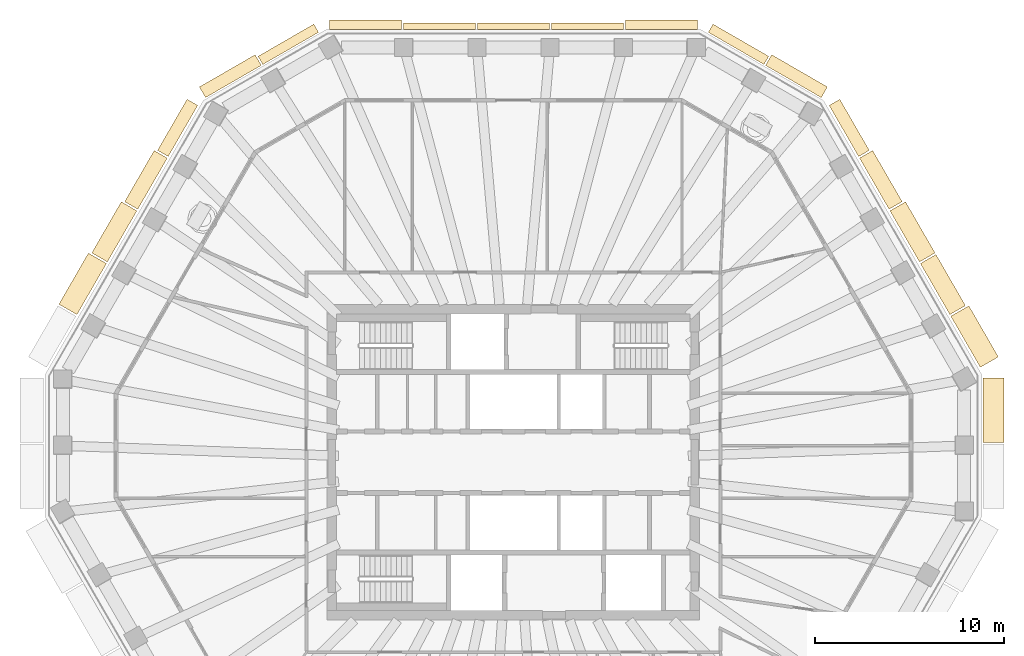
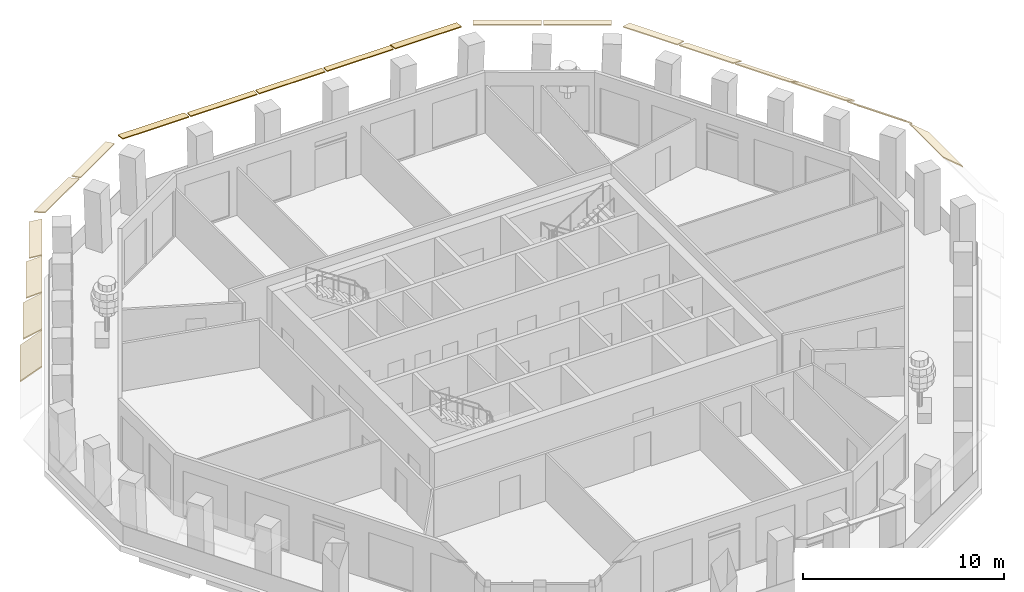
# One storey, part 10 of 12: 19 coverings.
"""IFC4 building model written with IfcOpenShell, lengths in metres."""

from ifc_helpers import new_model, si_unit, direction, frame, origin, place, context, subcontext, project, spatial, polyline, outline, extrude, material, layer, layer_set, type_object, element, save


model = new_model("IFC4")

# Units and contexts
model_context = context("Model", 3, precision=1e-05, world=origin(), true_north=direction((0.0, 1.0)))
body_context = subcontext(model_context, "Body", "Model", "MODEL_VIEW")
ifc_project = project(units=[si_unit("LENGTHUNIT", "METRE"), si_unit("AREAUNIT", "SQUARE_METRE"), si_unit("VOLUMEUNIT", "CUBIC_METRE"), si_unit("PLANEANGLEUNIT", "RADIAN"), si_unit("MASSUNIT", "GRAM", prefix="KILO")], contexts=[model_context])

# Site, building, storey
site_placement = place(None, origin())
site = spatial("IfcSite", under=ifc_project, at=site_placement, CompositionType="ELEMENT")
building_placement = place(site_placement, origin())
building = spatial("IfcBuilding", under=site, at=building_placement, Name="Frailejon Research Tower", CompositionType="ELEMENT")
storey_placement = place(building_placement, frame((0.0, 0.0, 291.0)))
storey = spatial("IfcBuildingStorey", under=building, at=storey_placement, Name="L64", CompositionType="ELEMENT", Elevation=291.0)

# Coverings
ifc_material_1 = material(Name="Precast concrete C50/60", Category="concrete")
ifc_layer_1 = layer(ifc_material_1, 0.06005859375)
ifc_layer_set_1 = layer_set([ifc_layer_1], Name="Brim blade depth 1100")
covering_type_1 = type_object("IfcCoveringType", Name="Brim blade depth 1100", PredefinedType="CLADDING", material=ifc_layer_set_1)
covering_1_placement = place(storey_placement, frame((24.8544921875, 4.45751953125, 3.85009765625), z_axis=(0.0, -1.0, 0.0), x_axis=(1.0, 0.0, 0.0)))
element("IfcCovering", 1, at=covering_1_placement, inside=storey, type_object=covering_type_1, Name="Brim blade L64", PredefinedType="CLADDING", context=body_context, shape_type="SweptSolid", body=[
    extrude(outline(polyline([(0.0, -0.078369140625), (1.10009765625, -1.001220703125), (1.10009765625, -0.923095703125), (0.0, 0.0), (0.0, -0.078369140625)])), origin(), (0.0, 0.0, 1.0), 3.402099609375),
])
for number, where, z_axis, x_axis, name in (
    (2, (23.142333984375, 7.727294921875, 3.85009765625), (0.499997604048, -0.866026787083, 0.0), (0.866026787083, 0.499997604048, 0.0), "Brim blade L64"),
    (3, (-23.09228515625, 7.81396484375, 3.85009765625), (0.499997604048, 0.866026787083, 0.0), (-0.866026787083, 0.499997604048, 0.0), "Brim blade L64"),
):
    element("IfcCovering", number, at=place(storey_placement, frame(where, z_axis=z_axis, x_axis=x_axis)), inside=storey, type_object=covering_type_1, Name=name, PredefinedType="CLADDING", context=body_context, shape_type="SweptSolid", body=[
        extrude(outline(polyline([(0.0, -0.078369140625), (1.10009765625, -1.001220703125), (1.10009765625, -0.923095703125), (0.0, 0.0), (0.0, -0.078369140625)])), origin(), (0.0, 0.0, 1.0), 3.119384765625),
    ])
ifc_material_2 = material(Name="Precast concrete C50/60", Category="concrete")
ifc_layer_2 = layer(ifc_material_2, 0.06005859375)
ifc_layer_set_2 = layer_set([ifc_layer_2], Name="Brim blade depth 350")
covering_type_2 = type_object("IfcCoveringType", Name="Brim blade depth 350", PredefinedType="CLADDING", material=ifc_layer_set_2)
for number, where, z_axis, x_axis, name in (
    (4, (2.008056640625, 22.89990234375, 3.85009765625), (1.0, 0.0, 0.0), (0.0, 1.0, 0.0), "Brim blade L64"),
    (5, (-1.908203125, 22.89990234375, 3.85009765625), (1.0, 0.0, 0.0), (0.0, 1.0, 0.0), "Brim blade L64"),
    (6, (-5.82421875, 22.89990234375, 3.85009765625), (1.0, 0.0, 0.0), (0.0, 1.0, 0.0), "Brim blade L64"),
):
    element("IfcCovering", number, at=place(storey_placement, frame(where, z_axis=z_axis, x_axis=x_axis)), inside=storey, type_object=covering_type_2, Name=name, PredefinedType="CLADDING", context=body_context, shape_type="SweptSolid", body=[
        extrude(outline(polyline([(0.0, -0.06005859375), (0.35009765625, -0.06005859375), (0.35009765625, 0.0), (0.0, 0.0), (0.0, -0.06005859375)])), origin(), (0.0, 0.0, 1.0), 3.816162109375),
    ])
ifc_material_3 = material(Name="Precast concrete C50/60", Category="concrete")
ifc_layer_3 = layer(ifc_material_3, 0.06005859375)
ifc_layer_set_3 = layer_set([ifc_layer_3], Name="Brim blade depth 500")
covering_type_3 = type_object("IfcCoveringType", Name="Brim blade depth 500", PredefinedType="CLADDING", material=ifc_layer_set_3)
covering_2_placement = place(storey_placement, frame((10.30859375, 22.747802734375, 3.85009765625), z_axis=(0.866023907216, -0.500002592124, 0.0), x_axis=(0.500002592124, 0.866023907216, 0.0)))
element("IfcCovering", 7, at=covering_2_placement, inside=storey, type_object=covering_type_3, Name="Brim blade L64", PredefinedType="CLADDING", context=body_context, shape_type="SweptSolid", body=[
    extrude(outline(polyline([(0.0, -0.060546875), (0.5, -0.130859375), (0.5, -0.0703125), (0.0, 0.0), (0.0, -0.060546875)])), origin(), (0.0, 0.0, 1.0), 3.402099609375),
])
for number, where, z_axis, x_axis, name in (
    (8, (5.92431640625, 22.89990234375, 3.85009765625), (1.0, 0.0, 0.0), (0.0, 1.0, 0.0), "Brim blade L64"),
    (9, (-9.740234375, 22.89990234375, 3.85009765625), (1.0, 0.0, 0.0), (0.0, 1.0, 0.0), "Brim blade L64"),
):
    element("IfcCovering", number, at=place(storey_placement, frame(where, z_axis=z_axis, x_axis=x_axis)), inside=storey, type_object=covering_type_3, Name=name, PredefinedType="CLADDING", context=body_context, shape_type="SweptSolid", body=[
        extrude(outline(polyline([(0.0, -0.060546875), (0.5, -0.130859375), (0.5, -0.0703125), (0.0, 0.0), (0.0, -0.060546875)])), origin(), (0.0, 0.0, 1.0), 3.816162109375),
    ])
covering_3_placement = place(storey_placement, frame((-13.2548828125, 21.046630859375, 3.85009765625), z_axis=(0.866023907216, 0.500002592124, 0.0), x_axis=(-0.500002592124, 0.866023907216, 0.0)))
element("IfcCovering", 10, at=covering_3_placement, inside=storey, type_object=covering_type_3, Name="Brim blade L64", PredefinedType="CLADDING", context=body_context, shape_type="SweptSolid", body=[
    extrude(outline(polyline([(0.0, -0.060546875), (0.5, -0.130859375), (0.5, -0.0703125), (0.0, 0.0), (0.0, -0.060546875)])), origin(), (0.0, 0.0, 1.0), 3.402099609375),
])
ifc_material_4 = material(Name="Precast concrete C50/60", Category="concrete")
ifc_layer_4 = layer(ifc_material_4, 0.06005859375)
ifc_layer_set_4 = layer_set([ifc_layer_4], Name="Brim blade depth 650")
covering_type_4 = type_object("IfcCoveringType", Name="Brim blade depth 650", PredefinedType="CLADDING", material=ifc_layer_set_4)
covering_4_placement = place(storey_placement, frame((16.70361328125, 18.879638671875, 3.85009765625), z_axis=(0.500011053853, -0.866019021745, 0.0), x_axis=(0.866019021745, 0.500011053853, 0.0)))
element("IfcCovering", 11, at=covering_4_placement, inside=storey, type_object=covering_type_4, Name="Brim blade L64", PredefinedType="CLADDING", context=body_context, shape_type="SweptSolid", body=[
    extrude(outline(polyline([(0.0, -0.0625), (0.64990234375, -0.248779296875), (0.64990234375, -0.186279296875), (0.0, 0.0), (0.0, -0.0625)])), origin(), (0.0, 0.0, 1.0), 3.119384765625),
])
for number, where, z_axis, x_axis, name in (
    (12, (13.34130859375, 20.99658203125, 3.85009765625), (0.866023907216, -0.500002592124, 0.0), (0.500002592124, 0.866023907216, 0.0), "Brim blade L64"),
    (13, (-16.28759765625, 19.295654296875, 3.85009765625), (0.866023907216, 0.500002592124, 0.0), (-0.500002592124, 0.866023907216, 0.0), "Brim blade L64"),
):
    element("IfcCovering", number, at=place(storey_placement, frame(where, z_axis=z_axis, x_axis=x_axis)), inside=storey, type_object=covering_type_4, Name=name, PredefinedType="CLADDING", context=body_context, shape_type="SweptSolid", body=[
        extrude(outline(polyline([(0.0, -0.0625), (0.64990234375, -0.248779296875), (0.64990234375, -0.186279296875), (0.0, 0.0), (0.0, -0.0625)])), origin(), (0.0, 0.0, 1.0), 3.402099609375),
    ])
covering_5_placement = place(storey_placement, frame((-18.26318359375, 16.17822265625, 3.85009765625), z_axis=(0.500011053853, 0.866019021745, 0.0), x_axis=(-0.866019021745, 0.500011053853, 0.0)))
element("IfcCovering", 14, at=covering_5_placement, inside=storey, type_object=covering_type_4, Name="Brim blade L64", PredefinedType="CLADDING", context=body_context, shape_type="SweptSolid", body=[
    extrude(outline(polyline([(0.0, -0.0625), (0.64990234375, -0.248779296875), (0.64990234375, -0.186279296875), (0.0, 0.0), (0.0, -0.0625)])), origin(), (0.0, 0.0, 1.0), 3.119384765625),
])
ifc_material_5 = material(Name="Precast concrete C50/60", Category="concrete")
ifc_layer_5 = layer(ifc_material_5, 0.06005859375)
ifc_layer_set_5 = layer_set([ifc_layer_5], Name="Brim blade depth 800")
covering_type_5 = type_object("IfcCoveringType", Name="Brim blade depth 800", PredefinedType="CLADDING", material=ifc_layer_set_5)
for number, where, z_axis, x_axis, name in (
    (15, (18.313232421875, 16.091796875, 3.85009765625), (0.499997604048, -0.866026787083, 0.0), (0.866026787083, 0.499997604048, 0.0), "Brim blade L64"),
    (16, (-19.873046875, 13.39013671875, 3.85009765625), (0.499997604048, 0.866026787083, 0.0), (-0.866026787083, 0.499997604048, 0.0), "Brim blade L64"),
):
    element("IfcCovering", number, at=place(storey_placement, frame(where, z_axis=z_axis, x_axis=x_axis)), inside=storey, type_object=covering_type_5, Name=name, PredefinedType="CLADDING", context=body_context, shape_type="SweptSolid", body=[
        extrude(outline(polyline([(0.0, -0.065673828125), (0.800048828125, -0.421875), (0.800048828125, -0.356201171875), (0.0, 0.0), (0.0, -0.065673828125)])), origin(), (0.0, 0.0, 1.0), 3.119384765625),
    ])
ifc_material_6 = material(Name="Precast concrete C50/60", Category="concrete")
ifc_layer_6 = layer(ifc_material_6, 0.06005859375)
ifc_layer_set_6 = layer_set([ifc_layer_6], Name="Brim blade depth 950")
covering_type_6 = type_object("IfcCoveringType", Name="Brim blade depth 950", PredefinedType="CLADDING", material=ifc_layer_set_6)
for number, where, z_axis, x_axis, name in (
    (17, (21.53271484375, 10.515380859375, 3.85009765625), (0.499997604048, -0.866026787083, 0.0), (0.866026787083, 0.499997604048, 0.0), "Brim blade L64"),
    (18, (19.923095703125, 13.3037109375, 3.85009765625), (0.499997604048, -0.866026787083, 0.0), (0.866026787083, 0.499997604048, 0.0), "Brim blade L64"),
    (19, (-21.482666015625, 10.60205078125, 3.85009765625), (0.499997604048, 0.866026787083, 0.0), (-0.866026787083, 0.499997604048, 0.0), "Brim blade L64"),
):
    element("IfcCovering", number, at=place(storey_placement, frame(where, z_axis=z_axis, x_axis=x_axis)), inside=storey, type_object=covering_type_6, Name=name, PredefinedType="CLADDING", context=body_context, shape_type="SweptSolid", body=[
        extrude(outline(polyline([(0.0, -0.07080078125), (0.949951171875, -0.664306640625), (0.949951171875, -0.593505859375), (0.0, 0.0), (0.0, -0.07080078125)])), origin(), (0.0, 0.0, 1.0), 3.119384765625),
    ])

save(model, "model.ifc")
